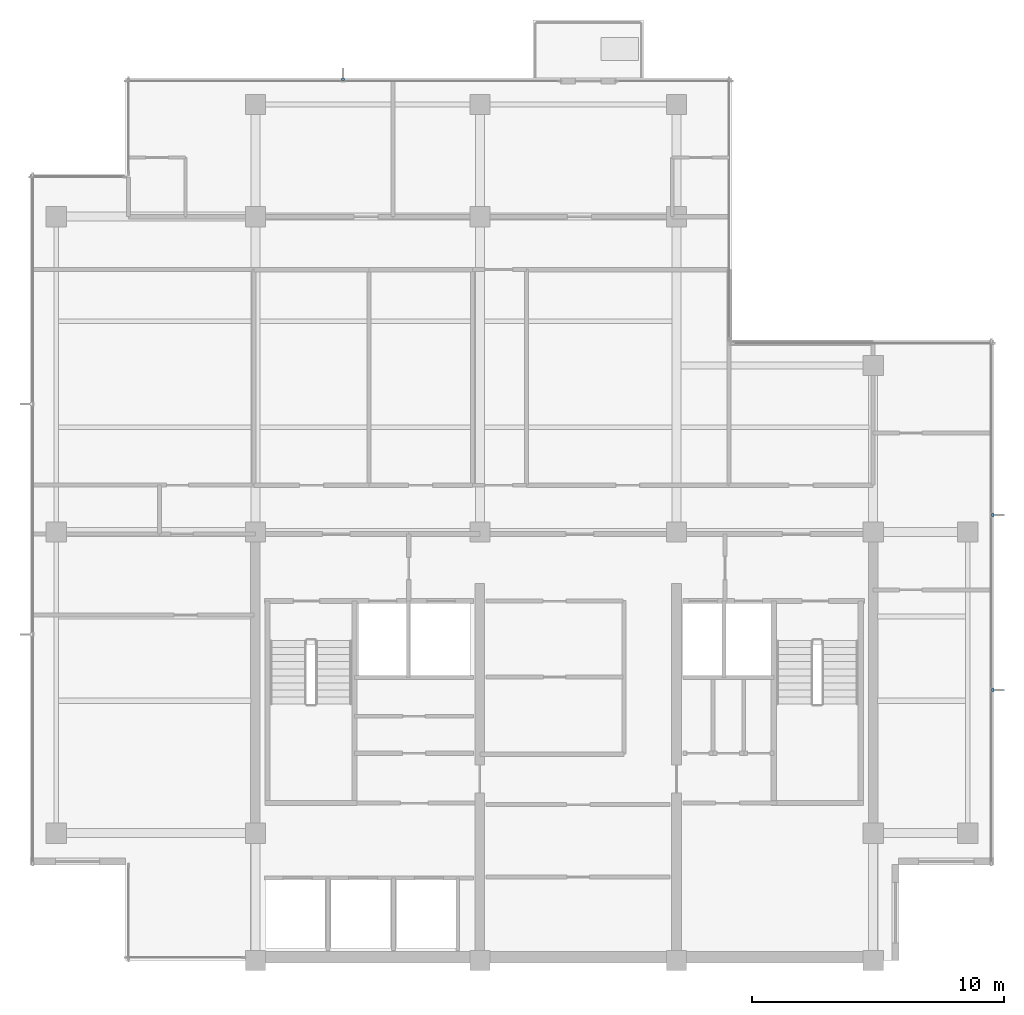
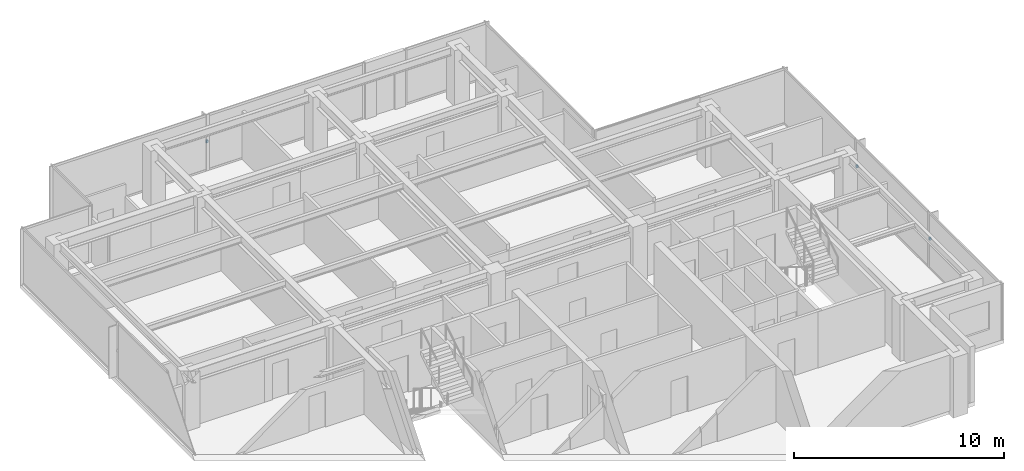
# One storey, part 10 of 11: 3 discrete accessories.
"""IFC4 building model written with IfcOpenShell, lengths in metres."""

import ifcopenshell
import ifcopenshell.guid

model = None  # the IFC model being written
_history = None  # IfcOwnerHistory: only IFC2X3 demands one
_inside = {}  # id of a spatial element -> (the spatial element, [elements in it])
_under = {}  # id of a project, library or spatial element -> (it, [spatial elements below it])
_declared = {}  # id of a project -> (the project, [libraries it declares])
_typed = {}  # id of a type object -> (the type object, [elements of that type])
_made_of = {}  # id of a material, layer set ... -> (it, [elements and type objects made of it])


def new_model(schema):
    """Start an empty IFC model of exactly this schema.

    Asked for "IFC4X3", IfcOpenShell would pick the latest addendum, in which some entities
    have other attributes; the version numbers below select the first issue.
    IFC2X3 requires an IfcOwnerHistory on every rooted entity: one is made here for all.
    """
    global model, _history
    if schema == "IFC4X3":
        model = ifcopenshell.file(schema_version=(4, 3, 0, 0))
    else:
        model = ifcopenshell.file(schema=schema)
    _inside.clear()
    _under.clear()
    _declared.clear()
    _typed.clear()
    _made_of.clear()
    _history = None
    if model.schema == "IFC2X3":
        org = make("IfcOrganization", Name="unknown")
        user = make(
            "IfcPersonAndOrganization",
            ThePerson=make("IfcPerson", FamilyName="unknown"),
            TheOrganization=org,
        )
        app = make(
            "IfcApplication",
            ApplicationDeveloper=org,
            Version="unknown",
            ApplicationFullName="unknown",
            ApplicationIdentifier="unknown",
        )
        _history = make(
            "IfcOwnerHistory",
            OwningUser=user,
            OwningApplication=app,
            ChangeAction="ADDED",
            CreationDate=0,
        )
    return model


def make(cls, **values):
    """One entity of the class cls with the attributes given. An attribute that is None is left unset."""
    return model.create_entity(
        cls, **{name: value for name, value in values.items() if value is not None}
    )


def rooted(cls, **values):
    """An entity with a GlobalId (a new one), such as an element, a storey or a relation."""
    return make(cls, GlobalId=ifcopenshell.guid.new(), OwnerHistory=_history, **values)


def si_unit(unit_type, name, prefix=None):
    """IfcSIUnit, for example si_unit("LENGTHUNIT", "METRE", prefix="MILLI")."""
    return make("IfcSIUnit", UnitType=unit_type, Prefix=prefix, Name=name)


def assignment(units):
    """IfcUnitAssignment: the units of a project."""
    return None if units is None else make("IfcUnitAssignment", Units=units)


def point(xyz):
    """IfcCartesianPoint."""
    return None if xyz is None else make("IfcCartesianPoint", Coordinates=xyz)


def direction(xyz):
    """IfcDirection."""
    return None if xyz is None else make("IfcDirection", DirectionRatios=xyz)


def frame(location, z_axis=None, x_axis=None):
    """IfcAxis2Placement3D, a coordinate frame: its origin and axes. An axis left out is left unset."""
    return make(
        "IfcAxis2Placement3D",
        Location=point(location),
        Axis=direction(z_axis),
        RefDirection=direction(x_axis),
    )


def origin():
    """The frame at (0, 0, 0) with its axes left unset."""
    return frame((0.0, 0.0, 0.0))


def place(relative_to, where):
    """IfcLocalPlacement: puts the frame where relative to a parent placement (None: the world)."""
    return make(
        "IfcLocalPlacement", PlacementRelTo=relative_to, RelativePlacement=where
    )


def context(
    kind, dimensions, precision=None, world=None, true_north=None, identifier=None
):
    """IfcGeometricRepresentationContext, for example the 3D "Model" context."""
    return make(
        "IfcGeometricRepresentationContext",
        ContextIdentifier=identifier,
        ContextType=kind,
        CoordinateSpaceDimension=dimensions,
        Precision=precision,
        WorldCoordinateSystem=world,
        TrueNorth=true_north,
    )


def subcontext(parent, identifier, kind, view, scale=None):
    """IfcGeometricRepresentationSubContext, for example "Body" below "Model"."""
    return make(
        "IfcGeometricRepresentationSubContext",
        ContextIdentifier=identifier,
        ContextType=kind,
        ParentContext=parent,
        TargetScale=scale,
        TargetView=view,
    )


def project(units=None, contexts=None):
    """IfcProject with its units and contexts."""
    return rooted(
        "IfcProject",
        Name="project",
        RepresentationContexts=contexts,
        UnitsInContext=assignment(units),
    )


def spatial(cls, under=None, at=None, **own):
    """A site, building, storey or space (cls), placed at a placement, below another one or the project."""
    s = rooted(cls, ObjectPlacement=at, **own)
    if under is not None:
        _under.setdefault(under.id(), (under, []))[1].append(s)
    return s


def polyline(points):
    """IfcPolyline through the points."""
    return make("IfcPolyline", Points=[point(p) for p in points])


def outline(outer, holes=None, kind="AREA"):
    """IfcArbitraryClosedProfileDef: a profile drawn as a closed curve; with holes, ...WithVoids."""
    if holes is None:
        return make("IfcArbitraryClosedProfileDef", ProfileType=kind, OuterCurve=outer)
    return make(
        "IfcArbitraryProfileDefWithVoids",
        ProfileType=kind,
        OuterCurve=outer,
        InnerCurves=holes,
    )


def extrude(swept, where, along, depth):
    """IfcExtrudedAreaSolid: the profile swept, set in the frame where, extruded along a direction by depth."""
    return make(
        "IfcExtrudedAreaSolid",
        SweptArea=swept,
        Position=where,
        ExtrudedDirection=direction(along),
        Depth=depth,
    )


def shape(context_of_items, identifier, shape_type, items):
    """IfcShapeRepresentation: the items that make up one representation, for example the "Body"."""
    return make(
        "IfcShapeRepresentation",
        ContextOfItems=context_of_items,
        RepresentationIdentifier=identifier,
        RepresentationType=shape_type,
        Items=items,
    )


def material(Name=None, Category=None):
    """IfcMaterial."""
    return make("IfcMaterial", Name=Name, Category=Category)


def made_of(thing, what):
    """Note that an element or type object is made of a material, layer set ...; save() writes the relation."""
    if what is not None:
        _made_of.setdefault(what.id(), (what, []))[1].append(thing)
    return thing


def type_object(cls, material=None, **own):
    """A type object (cls), such as IfcWallType, which elements share."""
    return made_of(rooted(cls, **own), material)


def element(
    cls,
    number,
    at=None,
    inside=None,
    cuts=None,
    type_object=None,
    material=None,
    context=None,
    identifier="Body",
    shape_type=None,
    held_by="IfcProductDefinitionShape",
    body=None,
    shapes=None,
    **own,
):
    """One element of the class cls, such as IfcWall. Its Tag is "e" and its number.

    at: its placement. inside: the storey or other place that contains it. cuts: it is an
    opening in that element (IfcRelVoidsElement). A single representation is given by context,
    identifier, shape_type and body (its items); several are given by shapes. held_by: the class
    of the entity that holds the representations. save() writes the other relations.
    """
    e = rooted(cls, Tag="e%d" % number, ObjectPlacement=at, **own)
    if body is not None:
        shapes = [shape(context, identifier, shape_type, body)]
    if shapes is not None:
        e.Representation = make(held_by, Representations=shapes)
    if inside is not None:
        _inside.setdefault(inside.id(), (inside, []))[1].append(e)
    if cuts is not None:
        rooted(
            "IfcRelVoidsElement", RelatingBuildingElement=cuts, RelatedOpeningElement=e
        )
    if type_object is not None:
        _typed.setdefault(type_object.id(), (type_object, []))[1].append(e)
    return made_of(e, material)


def aggregate(whole, parts):
    """IfcRelAggregates: a whole, such as a stair, and the parts it consists of."""
    return rooted("IfcRelAggregates", RelatingObject=whole, RelatedObjects=parts)


def save(model, path):
    """Write the relations noted so far, then the file.

    IfcRelAggregates (storeys below a building ...), IfcRelContainedInSpatialStructure (elements
    in a storey), IfcRelDefinesByType, IfcRelAssociatesMaterial and IfcRelDeclares: one each for
    every whole, place, type object, material and project.
    """
    for whole, parts in _under.values():
        aggregate(whole, parts)
    for where, things in _inside.values():
        rooted(
            "IfcRelContainedInSpatialStructure",
            RelatedElements=things,
            RelatingStructure=where,
        )
    for kind, things in _typed.values():
        rooted("IfcRelDefinesByType", RelatedObjects=things, RelatingType=kind)
    for what, things in _made_of.values():
        rooted("IfcRelAssociatesMaterial", RelatedObjects=things, RelatingMaterial=what)
    for by, libraries in _declared.values():
        rooted("IfcRelDeclares", RelatingContext=by, RelatedDefinitions=libraries)
    model.write(path)


model = new_model("IFC4")

# Units and contexts
model_context = context("Model", 3, precision=1e-05, world=origin(), true_north=direction((0.0, 1.0)))
body_context = subcontext(model_context, "Body", "Model", "MODEL_VIEW")
ifc_project = project(units=[si_unit("LENGTHUNIT", "METRE"), si_unit("AREAUNIT", "SQUARE_METRE"), si_unit("VOLUMEUNIT", "CUBIC_METRE"), si_unit("PLANEANGLEUNIT", "RADIAN"), si_unit("MASSUNIT", "GRAM", prefix="KILO")], contexts=[model_context])

# Site, building, storey
site_placement = place(None, origin())
site = spatial("IfcSite", under=ifc_project, at=site_placement, CompositionType="ELEMENT")
building_placement = place(site_placement, origin())
building = spatial("IfcBuilding", under=site, at=building_placement, Name="Qalmaran Belvedere Hotel", CompositionType="ELEMENT")
storey_placement = place(building_placement, frame((0.0, 0.0, 277.39990234375)))
storey = spatial("IfcBuildingStorey", under=building, at=storey_placement, Name="L72", CompositionType="ELEMENT", Elevation=277.39990234375)

# Discrete accessories
ifc_material = material(Name="Stainless Steel 1.4401", Category="steel")
discrete_accessory_type = type_object("IfcDiscreteAccessoryType", Name="BRK-FIN-SS316", PredefinedType="BRACKET", material=ifc_material)
discrete_accessory_1_placement = place(storey_placement, frame((0.0, 0.0, 1.580078125)))
element("IfcDiscreteAccessory", 1, at=discrete_accessory_1_placement, inside=storey, type_object=discrete_accessory_type, Name="L72 Fin Bracket 1", PredefinedType="BRACKET", context=body_context, shape_type="SweptSolid", body=[
    extrude(outline(polyline([(49.4951171875, 14.17822265625), (49.58740234375, 14.17822265625), (49.58740234375, 14.288330078125), (49.4951171875, 14.288330078125), (49.4951171875, 14.17822265625)])), origin(), (0.0, 0.0, 1.0), 0.14013671875),
])
discrete_accessory_2_placement = place(storey_placement, frame((0.0, 0.0, 1.580078125)))
element("IfcDiscreteAccessory", 2, at=discrete_accessory_2_placement, inside=storey, type_object=discrete_accessory_type, Name="L72 Fin Bracket 2", PredefinedType="BRACKET", context=body_context, shape_type="SweptSolid", body=[
    extrude(outline(polyline([(49.4951171875, 21.11181640625), (49.58740234375, 21.11181640625), (49.58740234375, 21.2216796875), (49.4951171875, 21.2216796875), (49.4951171875, 21.11181640625)])), origin(), (0.0, 0.0, 1.0), 0.14013671875),
])
discrete_accessory_3_placement = place(storey_placement, frame((0.0, 0.0, 1.580078125)))
element("IfcDiscreteAccessory", 3, at=discrete_accessory_3_placement, inside=storey, type_object=discrete_accessory_type, Name="L72 Fin Bracket 1", PredefinedType="BRACKET", context=body_context, shape_type="SweptSolid", body=[
    extrude(outline(polyline([(23.830078125, 38.39501953125), (23.830078125, 38.487548828125), (23.719970703125, 38.487548828125), (23.719970703125, 38.39501953125), (23.830078125, 38.39501953125)])), origin(), (0.0, 0.0, 1.0), 0.14013671875),
])

save(model, "model.ifc")
